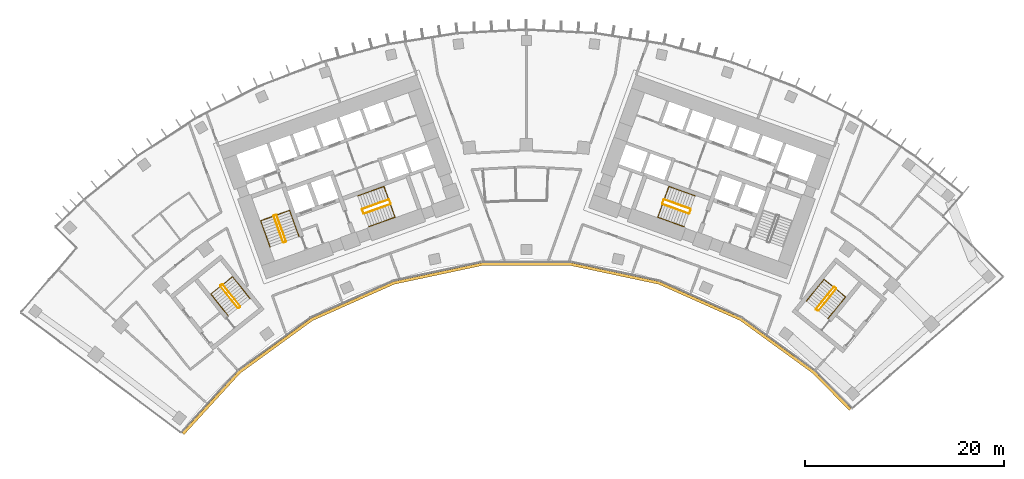
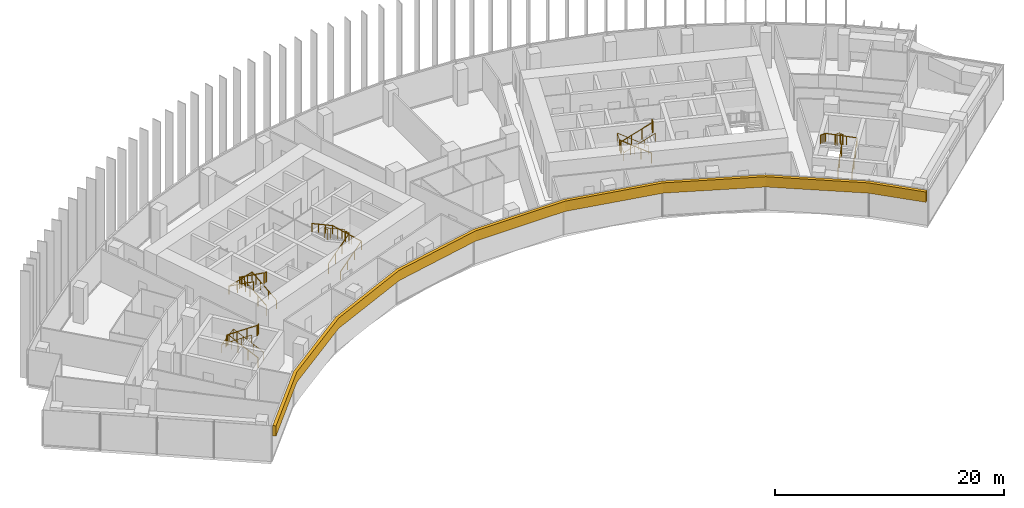
# One storey, part 22 of 23: 15 railings, 1 covering.
"""IFC4 building model written with IfcOpenShell, lengths in metres."""

from ifc_helpers import new_model, si_unit, direction, frame, origin, origin_2d, place, context, subcontext, project, spatial, polyline, circle, outline, extrude, material, layer, layer_set, type_object, element, save


model = new_model("IFC4")

# Units and contexts
model_context = context("Model", 3, precision=1e-05, world=origin(), true_north=direction((0.0, 1.0)))
body_context = subcontext(model_context, "Body", "Model", "MODEL_VIEW")
ifc_project = project(units=[si_unit("LENGTHUNIT", "METRE"), si_unit("AREAUNIT", "SQUARE_METRE"), si_unit("VOLUMEUNIT", "CUBIC_METRE"), si_unit("PLANEANGLEUNIT", "RADIAN"), si_unit("MASSUNIT", "GRAM", prefix="KILO")], contexts=[model_context])

# Site, building, storey
site_placement = place(None, origin())
site = spatial("IfcSite", under=ifc_project, at=site_placement, CompositionType="ELEMENT")
building_placement = place(site_placement, origin())
building = spatial("IfcBuilding", under=site, at=building_placement, Name="Stone Belt Terrace Tower", CompositionType="ELEMENT")
storey_placement = place(building_placement, frame((0.0, 0.0, 178.199951171875)))
storey = spatial("IfcBuildingStorey", under=building, at=storey_placement, Name="L43", CompositionType="ELEMENT", Elevation=178.199951171875)

# Railings
ifc_material_1 = material(Name="Structural steel C345", Category="steel")
railing_type_1 = type_object("IfcRailingType", Name="Stair guard 1100", PredefinedType="GUARDRAIL", material=ifc_material_1)
railing_1_placement = place(storey_placement, frame((-24.2119140625, 45.276123046875, 0.1728515625)))
element("IfcRailing", 1, at=railing_1_placement, inside=storey, type_object=railing_type_1, Name="L43 ST1A stair guard 1", PredefinedType="GUARDRAIL", context=body_context, shape_type="SweptSolid", body=[
    extrude(circle(Radius=0.02392578125, at=origin_2d()), frame((0.0, 0.0, 1.076171875), z_axis=(-0.288228637646, 0.800791768495, 0.525030280985), x_axis=(-0.940908529223, -0.338660803216, 0.0)), (0.0, 0.0, 1.0), 3.289794921875),
    extrude(circle(Radius=0.02392578125, at=origin_2d()), frame((-0.9482421875, 2.634521484375, 2.80322265625), z_axis=(-0.905209821074, 0.424964916, 0.0), x_axis=(-0.424964916, -0.905209821074, 0.0)), (0.0, 0.0, 1.0), 0.070556640625),
    extrude(circle(Radius=0.02392578125, at=origin_2d()), frame((-1.01220703125, 2.66455078125, 2.80322265625), z_axis=(-0.941105063269, -0.338114270461, 0.0), x_axis=(0.338114270461, -0.941105063269, 0.0)), (0.0, 0.0, 1.0), 0.199951171875),
    extrude(circle(Radius=0.02099609375, at=origin_2d()), origin(), (0.0, 0.0, 1.0), 1.052001953125),
    extrude(circle(Radius=0.02099609375, at=origin_2d()), frame((-0.316162109375, 0.878173828125, 0.57568359375)), (0.0, 0.0, 1.0), 1.052001953125),
    extrude(circle(Radius=0.02099609375, at=origin_2d()), frame((-0.632080078125, 1.75634765625, 1.151611328125)), (0.0, 0.0, 1.0), 1.052001953125),
    extrude(circle(Radius=0.02099609375, at=origin_2d()), frame((-0.9482421875, 2.634521484375, 1.727294921875)), (0.0, 0.0, 1.0), 1.052001953125),
    extrude(circle(Radius=0.02099609375, at=origin_2d()), frame((-1.01220703125, 2.66455078125, 1.727294921875)), (0.0, 0.0, 1.0), 1.052001953125),
    extrude(circle(Radius=0.02099609375, at=origin_2d()), frame((-1.200439453125, 2.596923828125, 1.727294921875)), (0.0, 0.0, 1.0), 1.052001953125),
])
railing_2_placement = place(storey_placement, frame((-25.4423828125, 47.80908203125, 2.07275390625)))
element("IfcRailing", 2, at=railing_2_placement, inside=storey, type_object=railing_type_1, Name="L43 ST1A stair guard 2", PredefinedType="GUARDRAIL", context=body_context, shape_type="SweptSolid", body=[
    extrude(circle(Radius=0.02392578125, at=origin_2d()), frame((0.0, 0.0, 1.076171875), z_axis=(0.288228637646, -0.800791768495, 0.525030280985), x_axis=(0.940908529223, 0.338660803216, 0.0)), (0.0, 0.0, 1.0), 3.289794921875),
    extrude(circle(Radius=0.02392578125, at=origin_2d()), frame((0.9482421875, -2.634521484375, 2.80322265625), z_axis=(0.903878284585, -0.427789722475, 0.0), x_axis=(0.427789722475, 0.903878284585, 0.0)), (0.0, 0.0, 1.0), 0.07080078125),
    extrude(circle(Radius=0.02392578125, at=origin_2d()), frame((1.01220703125, -2.664794921875, 2.80322265625), z_axis=(0.940575576748, 0.339584429008, 0.0), x_axis=(-0.339584429008, 0.940575576748, 0.0)), (0.0, 0.0, 1.0), 0.199951171875),
    extrude(circle(Radius=0.02099609375, at=origin_2d()), origin(), (0.0, 0.0, 1.0), 1.052001953125),
    extrude(circle(Radius=0.02099609375, at=origin_2d()), frame((0.316162109375, -0.878173828125, 0.57568359375)), (0.0, 0.0, 1.0), 1.052001953125),
    extrude(circle(Radius=0.02099609375, at=origin_2d()), frame((0.632080078125, -1.75634765625, 1.151611328125)), (0.0, 0.0, 1.0), 1.052001953125),
    extrude(circle(Radius=0.02099609375, at=origin_2d()), frame((0.9482421875, -2.634521484375, 1.727294921875)), (0.0, 0.0, 1.0), 1.052001953125),
    extrude(circle(Radius=0.02099609375, at=origin_2d()), frame((1.01220703125, -2.664794921875, 1.727294921875)), (0.0, 0.0, 1.0), 1.052001953125),
    extrude(circle(Radius=0.02099609375, at=origin_2d()), frame((1.2001953125, -2.596923828125, 1.727294921875)), (0.0, 0.0, 1.0), 1.052001953125),
])
railing_3_placement = place(storey_placement, frame((-16.33837890625, 48.056640625, 0.1728515625)))
element("IfcRailing", 3, at=railing_3_placement, inside=storey, type_object=railing_type_1, Name="L43 ST2A stair guard 1", PredefinedType="GUARDRAIL", context=body_context, shape_type="SweptSolid", body=[
    extrude(circle(Radius=0.02392578125, at=origin_2d()), frame((0.0, 0.0, 1.076171875), z_axis=(0.800808895155, 0.288160591223, 0.52504150989), x_axis=(-0.338583606334, 0.940936311087, 0.0)), (0.0, 0.0, 1.0), 3.289794921875),
    extrude(circle(Radius=0.02392578125, at=origin_2d()), frame((2.634521484375, 0.947998046875, 2.80322265625), z_axis=(0.427789722475, 0.903878284585, 0.0), x_axis=(-0.903878284585, 0.427789722475, 0.0)), (0.0, 0.0, 1.0), 0.07080078125),
    extrude(circle(Radius=0.02392578125, at=origin_2d()), frame((2.664794921875, 1.011962890625, 2.80322265625), z_axis=(-0.338654645739, 0.940910745459, 0.0), x_axis=(-0.940910745459, -0.338654645739, 0.0)), (0.0, 0.0, 1.0), 0.400146484375),
    extrude(circle(Radius=0.02099609375, at=origin_2d()), origin(), (0.0, 0.0, 1.0), 1.052001953125),
    extrude(circle(Radius=0.02099609375, at=origin_2d()), frame((0.878173828125, 0.31591796875, 0.57568359375)), (0.0, 0.0, 1.0), 1.052001953125),
    extrude(circle(Radius=0.02099609375, at=origin_2d()), frame((1.75634765625, 0.632080078125, 1.151611328125)), (0.0, 0.0, 1.0), 1.052001953125),
    extrude(circle(Radius=0.02099609375, at=origin_2d()), frame((2.634521484375, 0.947998046875, 1.727294921875)), (0.0, 0.0, 1.0), 1.052001953125),
    extrude(circle(Radius=0.02099609375, at=origin_2d()), frame((2.664794921875, 1.011962890625, 1.727294921875)), (0.0, 0.0, 1.0), 1.052001953125),
    extrude(circle(Radius=0.02099609375, at=origin_2d()), frame((2.529296875, 1.388427734375, 1.727294921875)), (0.0, 0.0, 1.0), 1.052001953125),
])
railing_4_placement = place(storey_placement, frame((-13.873046875, 49.47509765625, 2.07275390625)))
element("IfcRailing", 4, at=railing_4_placement, inside=storey, type_object=railing_type_1, Name="L43 ST2A stair guard 2", PredefinedType="GUARDRAIL", context=body_context, shape_type="SweptSolid", body=[
    extrude(circle(Radius=0.02392578125, at=origin_2d()), frame((0.0, 0.0, 1.076171875), z_axis=(-0.800808895155, -0.288160591223, 0.52504150989), x_axis=(0.338583606334, -0.940936311087, 0.0)), (0.0, 0.0, 1.0), 3.289794921875),
    extrude(circle(Radius=0.02392578125, at=origin_2d()), frame((-2.634521484375, -0.947998046875, 2.80322265625), z_axis=(-0.427789722475, -0.903878284585, 0.0), x_axis=(0.903878284585, -0.427789722475, 0.0)), (0.0, 0.0, 1.0), 0.07080078125),
    extrude(circle(Radius=0.02392578125, at=origin_2d()), frame((-2.664794921875, -1.011962890625, 2.80322265625), z_axis=(0.338654645739, -0.940910745459, 0.0), x_axis=(0.940910745459, 0.338654645739, 0.0)), (0.0, 0.0, 1.0), 0.400146484375),
    extrude(circle(Radius=0.02099609375, at=origin_2d()), origin(), (0.0, 0.0, 1.0), 1.052001953125),
    extrude(circle(Radius=0.02099609375, at=origin_2d()), frame((-0.878173828125, -0.31591796875, 0.57568359375)), (0.0, 0.0, 1.0), 1.052001953125),
    extrude(circle(Radius=0.02099609375, at=origin_2d()), frame((-1.75634765625, -0.632080078125, 1.151611328125)), (0.0, 0.0, 1.0), 1.052001953125),
    extrude(circle(Radius=0.02099609375, at=origin_2d()), frame((-2.634521484375, -0.947998046875, 1.727294921875)), (0.0, 0.0, 1.0), 1.052001953125),
    extrude(circle(Radius=0.02099609375, at=origin_2d()), frame((-2.664794921875, -1.011962890625, 1.727294921875)), (0.0, 0.0, 1.0), 1.052001953125),
    extrude(circle(Radius=0.02099609375, at=origin_2d()), frame((-2.529296875, -1.388427734375, 1.727294921875)), (0.0, 0.0, 1.0), 1.052001953125),
])
railing_5_placement = place(storey_placement, frame((16.507568359375, 48.527099609375, 0.1728515625)))
element("IfcRailing", 5, at=railing_5_placement, inside=storey, type_object=railing_type_1, Name="L43 ST2B stair guard 1", PredefinedType="GUARDRAIL", context=body_context, shape_type="SweptSolid", body=[
    extrude(circle(Radius=0.02392578125, at=origin_2d()), frame((0.0, 0.0, 1.076171875), z_axis=(-0.800808895155, 0.288160591223, 0.52504150989), x_axis=(-0.338583606334, -0.940936311087, 0.0)), (0.0, 0.0, 1.0), 3.289794921875),
    extrude(circle(Radius=0.02392578125, at=origin_2d()), frame((-2.634521484375, 0.947998046875, 2.80322265625), z_axis=(-0.905209821074, -0.424964916, 0.0), x_axis=(0.424964916, -0.905209821074, 0.0)), (0.0, 0.0, 1.0), 0.070556640625),
    extrude(circle(Radius=0.02392578125, at=origin_2d()), frame((-2.698486328125, 0.91796875, 2.80322265625), z_axis=(-0.338654645739, -0.940910745459, 0.0), x_axis=(0.940910745459, -0.338654645739, 0.0)), (0.0, 0.0, 1.0), 0.400146484375),
    extrude(circle(Radius=0.02099609375, at=origin_2d()), origin(), (0.0, 0.0, 1.0), 1.052001953125),
    extrude(circle(Radius=0.02099609375, at=origin_2d()), frame((-0.878173828125, 0.31591796875, 0.57568359375)), (0.0, 0.0, 1.0), 1.052001953125),
    extrude(circle(Radius=0.02099609375, at=origin_2d()), frame((-1.75634765625, 0.632080078125, 1.151611328125)), (0.0, 0.0, 1.0), 1.052001953125),
    extrude(circle(Radius=0.02099609375, at=origin_2d()), frame((-2.634521484375, 0.947998046875, 1.727294921875)), (0.0, 0.0, 1.0), 1.052001953125),
    extrude(circle(Radius=0.02099609375, at=origin_2d()), frame((-2.698486328125, 0.91796875, 1.727294921875)), (0.0, 0.0, 1.0), 1.052001953125),
    extrude(circle(Radius=0.02099609375, at=origin_2d()), frame((-2.833984375, 0.54150390625, 1.727294921875)), (0.0, 0.0, 1.0), 1.052001953125),
])
railing_6_placement = place(storey_placement, frame((13.703857421875, 49.004638671875, 2.07275390625)))
element("IfcRailing", 6, at=railing_6_placement, inside=storey, type_object=railing_type_1, Name="L43 ST2B stair guard 2", PredefinedType="GUARDRAIL", context=body_context, shape_type="SweptSolid", body=[
    extrude(circle(Radius=0.02392578125, at=origin_2d()), frame((0.0, 0.0, 1.076171875), z_axis=(0.800808895155, -0.288160591223, 0.52504150989), x_axis=(0.338583606334, 0.940936311087, 0.0)), (0.0, 0.0, 1.0), 3.289794921875),
    extrude(circle(Radius=0.02392578125, at=origin_2d()), frame((2.634521484375, -0.947998046875, 2.80322265625), z_axis=(0.905209821074, 0.424964916, 0.0), x_axis=(-0.424964916, 0.905209821074, 0.0)), (0.0, 0.0, 1.0), 0.070556640625),
    extrude(circle(Radius=0.02392578125, at=origin_2d()), frame((2.698486328125, -0.91796875, 2.80322265625), z_axis=(0.338654645739, 0.940910745459, 0.0), x_axis=(-0.940910745459, 0.338654645739, 0.0)), (0.0, 0.0, 1.0), 0.400146484375),
    extrude(circle(Radius=0.02099609375, at=origin_2d()), origin(), (0.0, 0.0, 1.0), 1.052001953125),
    extrude(circle(Radius=0.02099609375, at=origin_2d()), frame((0.878173828125, -0.31591796875, 0.57568359375)), (0.0, 0.0, 1.0), 1.052001953125),
    extrude(circle(Radius=0.02099609375, at=origin_2d()), frame((1.75634765625, -0.632080078125, 1.151611328125)), (0.0, 0.0, 1.0), 1.052001953125),
    extrude(circle(Radius=0.02099609375, at=origin_2d()), frame((2.634521484375, -0.947998046875, 1.727294921875)), (0.0, 0.0, 1.0), 1.052001953125),
    extrude(circle(Radius=0.02099609375, at=origin_2d()), frame((2.698486328125, -0.91796875, 1.727294921875)), (0.0, 0.0, 1.0), 1.052001953125),
    extrude(circle(Radius=0.02099609375, at=origin_2d()), frame((2.833984375, -0.54150390625, 1.727294921875)), (0.0, 0.0, 1.0), 1.052001953125),
])
railing_7_placement = place(storey_placement, frame((-28.814208984375, 38.734619140625, 0.1728515625)))
element("IfcRailing", 7, at=railing_7_placement, inside=storey, type_object=railing_type_1, Name="L43 ST3A stair guard 1", PredefinedType="GUARDRAIL", context=body_context, shape_type="SweptSolid", body=[
    extrude(circle(Radius=0.02392578125, at=origin_2d()), frame((0.0, 0.0, 1.076171875), z_axis=(-0.530306321799, 0.665665785969, 0.525037395288), x_axis=(-0.782143211408, -0.623098705543, 0.0)), (0.0, 0.0, 1.0), 3.289794921875),
    extrude(circle(Radius=0.02392578125, at=origin_2d()), frame((-1.74462890625, 2.18994140625, 2.80322265625), z_axis=(-0.993883734674, 0.110431526075, 0.0), x_axis=(-0.110431526075, -0.993883734674, 0.0)), (0.0, 0.0, 1.0), 0.07080078125),
    extrude(circle(Radius=0.02392578125, at=origin_2d()), frame((-1.81494140625, 2.19775390625, 2.80322265625), z_axis=(-0.782533463299, -0.622608527742, 0.0), x_axis=(0.622608527742, -0.782533463299, 0.0)), (0.0, 0.0, 1.0), 0.199951171875),
    extrude(circle(Radius=0.02099609375, at=origin_2d()), origin(), (0.0, 0.0, 1.0), 1.052001953125),
    extrude(circle(Radius=0.02099609375, at=origin_2d()), frame((-0.58154296875, 0.72998046875, 0.57568359375)), (0.0, 0.0, 1.0), 1.052001953125),
    extrude(circle(Radius=0.02099609375, at=origin_2d()), frame((-1.1630859375, 1.4599609375, 1.151611328125)), (0.0, 0.0, 1.0), 1.052001953125),
    extrude(circle(Radius=0.02099609375, at=origin_2d()), frame((-1.74462890625, 2.18994140625, 1.727294921875)), (0.0, 0.0, 1.0), 1.052001953125),
    extrude(circle(Radius=0.02099609375, at=origin_2d()), frame((-1.81494140625, 2.19775390625, 1.727294921875)), (0.0, 0.0, 1.0), 1.052001953125),
    extrude(circle(Radius=0.02099609375, at=origin_2d()), frame((-1.971435546875, 2.0732421875, 1.727294921875)), (0.0, 0.0, 1.0), 1.052001953125),
])
railing_8_placement = place(storey_placement, frame((-30.793701171875, 40.737548828125, 2.07275390625)))
element("IfcRailing", 8, at=railing_8_placement, inside=storey, type_object=railing_type_1, Name="L43 ST3A stair guard 2", PredefinedType="GUARDRAIL", context=body_context, shape_type="SweptSolid", body=[
    extrude(circle(Radius=0.02392578125, at=origin_2d()), frame((0.0, 0.0, 1.076171875), z_axis=(0.530359659125, -0.665639588968, 0.525016732659), x_axis=(0.782100716982, 0.62315204284, 0.0)), (0.0, 0.0, 1.0), 3.2900390625),
    extrude(circle(Radius=0.02392578125, at=origin_2d()), frame((1.744873046875, -2.18994140625, 2.80322265625), z_axis=(0.993499272973, -0.113838458361, 0.0), x_axis=(0.113838458361, 0.993499272973, 0.0)), (0.0, 0.0, 1.0), 0.07080078125),
    extrude(circle(Radius=0.02392578125, at=origin_2d()), frame((1.815185546875, -2.197998046875, 2.80322265625), z_axis=(0.781464082609, 0.623950228458, 0.0), x_axis=(-0.623950228458, 0.781464082609, 0.0)), (0.0, 0.0, 1.0), 0.199951171875),
    extrude(circle(Radius=0.02099609375, at=origin_2d()), origin(), (0.0, 0.0, 1.0), 1.052001953125),
    extrude(circle(Radius=0.02099609375, at=origin_2d()), frame((0.58154296875, -0.72998046875, 0.57568359375)), (0.0, 0.0, 1.0), 1.052001953125),
    extrude(circle(Radius=0.02099609375, at=origin_2d()), frame((1.163330078125, -1.4599609375, 1.151611328125)), (0.0, 0.0, 1.0), 1.052001953125),
    extrude(circle(Radius=0.02099609375, at=origin_2d()), frame((1.744873046875, -2.18994140625, 1.727294921875)), (0.0, 0.0, 1.0), 1.052001953125),
    extrude(circle(Radius=0.02099609375, at=origin_2d()), frame((1.815185546875, -2.197998046875, 1.727294921875)), (0.0, 0.0, 1.0), 1.052001953125),
    extrude(circle(Radius=0.02099609375, at=origin_2d()), frame((1.971435546875, -2.0732421875, 1.727294921875)), (0.0, 0.0, 1.0), 1.052001953125),
])
railing_9_placement = place(storey_placement, frame((29.39794921875, 38.281982421875, 0.1728515625)))
element("IfcRailing", 9, at=railing_9_placement, inside=storey, type_object=railing_type_1, Name="L43 ST3B stair guard 1", PredefinedType="GUARDRAIL", context=body_context, shape_type="SweptSolid", body=[
    extrude(circle(Radius=0.02392578125, at=origin_2d()), frame((0.0, 0.0, 1.076171875), z_axis=(0.536393061503, 0.660769759217, 0.525038864158), x_axis=(-0.776391310223, 0.630251166924, 0.0)), (0.0, 0.0, 1.0), 3.289794921875),
    extrude(circle(Radius=0.02392578125, at=origin_2d()), frame((1.7646484375, 2.173828125, 2.80322265625), z_axis=(-0.103251414163, 0.994655289773, 0.0), x_axis=(-0.994655289773, -0.103251414163, 0.0)), (0.0, 0.0, 1.0), 0.071044921875),
    extrude(circle(Radius=0.02392578125, at=origin_2d()), frame((1.75732421875, 2.244384765625, 2.80322265625), z_axis=(-0.776561986372, 0.630040856868, 0.0), x_axis=(-0.630040856868, -0.776561986372, 0.0)), (0.0, 0.0, 1.0), 0.199951171875),
    extrude(circle(Radius=0.02099609375, at=origin_2d()), origin(), (0.0, 0.0, 1.0), 1.052001953125),
    extrude(circle(Radius=0.02099609375, at=origin_2d()), frame((0.588134765625, 0.724609375, 0.57568359375)), (0.0, 0.0, 1.0), 1.052001953125),
    extrude(circle(Radius=0.02099609375, at=origin_2d()), frame((1.176513671875, 1.44921875, 1.151611328125)), (0.0, 0.0, 1.0), 1.052001953125),
    extrude(circle(Radius=0.02099609375, at=origin_2d()), frame((1.7646484375, 2.173828125, 1.727294921875)), (0.0, 0.0, 1.0), 1.052001953125),
    extrude(circle(Radius=0.02099609375, at=origin_2d()), frame((1.75732421875, 2.244384765625, 1.727294921875)), (0.0, 0.0, 1.0), 1.052001953125),
    extrude(circle(Radius=0.02099609375, at=origin_2d()), frame((1.60205078125, 2.370361328125, 1.727294921875)), (0.0, 0.0, 1.0), 1.052001953125),
])
railing_10_placement = place(storey_placement, frame((30.9296875, 40.64501953125, 2.07275390625)))
element("IfcRailing", 10, at=railing_10_placement, inside=storey, type_object=railing_type_1, Name="L43 ST3B stair guard 2", PredefinedType="GUARDRAIL", context=body_context, shape_type="SweptSolid", body=[
    extrude(circle(Radius=0.02392578125, at=origin_2d()), frame((0.0, 0.0, 1.076171875), z_axis=(-0.536366759382, -0.660811565066, 0.525013118792), x_axis=(0.776425942316, -0.630208502084, 0.0)), (0.0, 0.0, 1.0), 3.2900390625),
    extrude(circle(Radius=0.02392578125, at=origin_2d()), frame((-1.7646484375, -2.174072265625, 2.80322265625), z_axis=(0.103606084259, -0.994618408891, 0.0), x_axis=(0.994618408891, 0.103606084259, 0.0)), (0.0, 0.0, 1.0), 0.07080078125),
    extrude(circle(Radius=0.02392578125, at=origin_2d()), frame((-1.75732421875, -2.244384765625, 2.80322265625), z_axis=(0.776561986372, -0.630040856868, 0.0), x_axis=(0.630040856868, 0.776561986372, 0.0)), (0.0, 0.0, 1.0), 0.199951171875),
    extrude(circle(Radius=0.02099609375, at=origin_2d()), origin(), (0.0, 0.0, 1.0), 1.052001953125),
    extrude(circle(Radius=0.02099609375, at=origin_2d()), frame((-0.588134765625, -0.724609375, 0.57568359375)), (0.0, 0.0, 1.0), 1.052001953125),
    extrude(circle(Radius=0.02099609375, at=origin_2d()), frame((-1.176513671875, -1.449462890625, 1.151611328125)), (0.0, 0.0, 1.0), 1.052001953125),
    extrude(circle(Radius=0.02099609375, at=origin_2d()), frame((-1.7646484375, -2.174072265625, 1.727294921875)), (0.0, 0.0, 1.0), 1.052001953125),
    extrude(circle(Radius=0.02099609375, at=origin_2d()), frame((-1.75732421875, -2.244384765625, 1.727294921875)), (0.0, 0.0, 1.0), 1.052001953125),
    extrude(circle(Radius=0.02099609375, at=origin_2d()), frame((-1.60205078125, -2.370361328125, 1.727294921875)), (0.0, 0.0, 1.0), 1.052001953125),
])
railing_type_2 = type_object("IfcRailingType", Name="Stair handrail 900", PredefinedType="HANDRAIL", material=ifc_material_1)
railing_11_placement = place(storey_placement, frame((-22.894775390625, 45.750244140625, 0.1728515625)))
element("IfcRailing", 11, at=railing_11_placement, inside=storey, type_object=railing_type_2, Name="L43 ST1A stair handrail 1", PredefinedType="HANDRAIL", context=body_context, shape_type="SweptSolid", body=[
    extrude(circle(Radius=0.02392578125, at=origin_2d()), frame((0.0, 0.0, 0.8759765625), z_axis=(-0.288160591223, 0.800808895155, 0.52504150989), x_axis=(-0.940936311087, -0.338583606334, 0.0)), (0.0, 0.0, 1.0), 3.289794921875),
    extrude(circle(Radius=0.02392578125, at=origin_2d()), frame((-0.947998046875, 2.634521484375, 2.60302734375), z_axis=(-0.939464517435, -0.338106580597, 0.055591012205), x_axis=(0.338630230244, -0.940919532779, 0.0)), (0.0, 0.0, 1.0), 3.10498046875),
    extrude(circle(Radius=0.02392578125, at=origin_2d()), frame((-3.864990234375, 1.584716796875, 2.77587890625), z_axis=(0.288228637646, -0.800791768495, 0.525030280985), x_axis=(0.940908529223, 0.338660803216, 0.0)), (0.0, 0.0, 1.0), 3.289794921875),
    extrude(circle(Radius=0.02099609375, at=origin_2d()), origin(), (0.0, 0.0, 1.0), 0.851806640625),
    extrude(circle(Radius=0.02099609375, at=origin_2d()), frame((-0.31591796875, 0.878173828125, 0.57568359375)), (0.0, 0.0, 1.0), 0.851806640625),
    extrude(circle(Radius=0.02099609375, at=origin_2d()), frame((-0.632080078125, 1.75634765625, 1.151611328125)), (0.0, 0.0, 1.0), 0.851806640625),
    extrude(circle(Radius=0.02099609375, at=origin_2d()), frame((-0.947998046875, 2.634521484375, 1.727294921875)), (0.0, 0.0, 1.0), 0.851806640625),
    extrude(circle(Radius=0.02099609375, at=origin_2d()), frame((-1.92041015625, 2.28466796875, 1.784912109375)), (0.0, 0.0, 1.0), 0.851806640625),
    extrude(circle(Radius=0.02099609375, at=origin_2d()), frame((-2.892578125, 1.9345703125, 1.84228515625)), (0.0, 0.0, 1.0), 0.851806640625),
    extrude(circle(Radius=0.02099609375, at=origin_2d()), frame((-3.864990234375, 1.584716796875, 1.89990234375)), (0.0, 0.0, 1.0), 0.851806640625),
    extrude(circle(Radius=0.02099609375, at=origin_2d()), frame((-3.548828125, 0.70654296875, 2.4755859375)), (0.0, 0.0, 1.0), 0.851806640625),
    extrude(circle(Radius=0.02099609375, at=origin_2d()), frame((-3.23291015625, -0.171630859375, 3.051513671875)), (0.0, 0.0, 1.0), 0.851806640625),
    extrude(circle(Radius=0.02099609375, at=origin_2d()), frame((-2.916748046875, -1.0498046875, 3.627197265625)), (0.0, 0.0, 1.0), 0.851806640625),
])
railing_12_placement = place(storey_placement, frame((-15.8642578125, 46.7392578125, 0.1728515625)))
element("IfcRailing", 12, at=railing_12_placement, inside=storey, type_object=railing_type_2, Name="L43 ST2A stair handrail 1", PredefinedType="HANDRAIL", context=body_context, shape_type="SweptSolid", body=[
    extrude(circle(Radius=0.02392578125, at=origin_2d()), frame((0.0, 0.0, 0.8759765625), z_axis=(0.800791768495, 0.288228637646, 0.525030280985), x_axis=(-0.338660803216, 0.940908529223, 0.0)), (0.0, 0.0, 1.0), 3.289794921875),
    extrude(circle(Radius=0.02392578125, at=origin_2d()), frame((2.634521484375, 0.9482421875, 2.60302734375), z_axis=(-0.338160254016, 0.939637778147, 0.052234935458), x_axis=(-0.940922302781, -0.338622533404, 0.0)), (0.0, 0.0, 1.0), 3.304443359375),
    extrude(circle(Radius=0.02392578125, at=origin_2d()), frame((1.51708984375, 4.05322265625, 2.77587890625), z_axis=(-0.800791768495, -0.288228637646, 0.525030280985), x_axis=(0.338660803216, -0.940908529223, 0.0)), (0.0, 0.0, 1.0), 3.289794921875),
    extrude(circle(Radius=0.02099609375, at=origin_2d()), origin(), (0.0, 0.0, 1.0), 0.851806640625),
    extrude(circle(Radius=0.02099609375, at=origin_2d()), frame((0.878173828125, 0.316162109375, 0.57568359375)), (0.0, 0.0, 1.0), 0.851806640625),
    extrude(circle(Radius=0.02099609375, at=origin_2d()), frame((1.75634765625, 0.632080078125, 1.151611328125)), (0.0, 0.0, 1.0), 0.851806640625),
    extrude(circle(Radius=0.02099609375, at=origin_2d()), frame((2.634521484375, 0.9482421875, 1.727294921875)), (0.0, 0.0, 1.0), 0.851806640625),
    extrude(circle(Radius=0.02099609375, at=origin_2d()), frame((2.261962890625, 1.983154296875, 1.784912109375)), (0.0, 0.0, 1.0), 0.851806640625),
    extrude(circle(Radius=0.02099609375, at=origin_2d()), frame((1.8896484375, 3.018310546875, 1.84228515625)), (0.0, 0.0, 1.0), 0.851806640625),
    extrude(circle(Radius=0.02099609375, at=origin_2d()), frame((1.51708984375, 4.05322265625, 1.89990234375)), (0.0, 0.0, 1.0), 0.851806640625),
    extrude(circle(Radius=0.02099609375, at=origin_2d()), frame((0.638916015625, 3.737060546875, 2.4755859375)), (0.0, 0.0, 1.0), 0.851806640625),
    extrude(circle(Radius=0.02099609375, at=origin_2d()), frame((-0.2392578125, 3.421142578125, 3.051513671875)), (0.0, 0.0, 1.0), 0.851806640625),
    extrude(circle(Radius=0.02099609375, at=origin_2d()), frame((-1.117431640625, 3.10498046875, 3.627197265625)), (0.0, 0.0, 1.0), 0.851806640625),
])
railing_13_placement = place(storey_placement, frame((16.981689453125, 49.84423828125, 0.1728515625)))
element("IfcRailing", 13, at=railing_13_placement, inside=storey, type_object=railing_type_2, Name="L43 ST2B stair handrail 1", PredefinedType="HANDRAIL", context=body_context, shape_type="SweptSolid", body=[
    extrude(circle(Radius=0.02392578125, at=origin_2d()), frame((0.0, 0.0, 0.8759765625), z_axis=(-0.800791768495, 0.288228637646, 0.525030280985), x_axis=(-0.338660803216, -0.940908529223, 0.0)), (0.0, 0.0, 1.0), 3.289794921875),
    extrude(circle(Radius=0.02392578125, at=origin_2d()), frame((-2.634521484375, 0.9482421875, 2.60302734375), z_axis=(-0.338160254016, -0.939637778147, 0.052234935458), x_axis=(0.940922302781, -0.338622533404, 0.0)), (0.0, 0.0, 1.0), 3.304443359375),
    extrude(circle(Radius=0.02392578125, at=origin_2d()), frame((-3.751953125, -2.15673828125, 2.77587890625), z_axis=(0.800791768495, -0.288228637646, 0.525030280985), x_axis=(0.338660803216, 0.940908529223, 0.0)), (0.0, 0.0, 1.0), 3.289794921875),
    extrude(circle(Radius=0.02099609375, at=origin_2d()), origin(), (0.0, 0.0, 1.0), 0.851806640625),
    extrude(circle(Radius=0.02099609375, at=origin_2d()), frame((-0.878173828125, 0.316162109375, 0.57568359375)), (0.0, 0.0, 1.0), 0.851806640625),
    extrude(circle(Radius=0.02099609375, at=origin_2d()), frame((-1.75634765625, 0.632080078125, 1.151611328125)), (0.0, 0.0, 1.0), 0.851806640625),
    extrude(circle(Radius=0.02099609375, at=origin_2d()), frame((-2.634521484375, 0.9482421875, 1.727294921875)), (0.0, 0.0, 1.0), 0.851806640625),
    extrude(circle(Radius=0.02099609375, at=origin_2d()), frame((-3.007080078125, -0.086669921875, 1.784912109375)), (0.0, 0.0, 1.0), 0.851806640625),
    extrude(circle(Radius=0.02099609375, at=origin_2d()), frame((-3.37939453125, -1.121826171875, 1.84228515625)), (0.0, 0.0, 1.0), 0.851806640625),
    extrude(circle(Radius=0.02099609375, at=origin_2d()), frame((-3.751953125, -2.15673828125, 1.89990234375)), (0.0, 0.0, 1.0), 0.851806640625),
    extrude(circle(Radius=0.02099609375, at=origin_2d()), frame((-2.873779296875, -2.472900390625, 2.4755859375)), (0.0, 0.0, 1.0), 0.851806640625),
    extrude(circle(Radius=0.02099609375, at=origin_2d()), frame((-1.99560546875, -2.788818359375, 3.051513671875)), (0.0, 0.0, 1.0), 0.851806640625),
    extrude(circle(Radius=0.02099609375, at=origin_2d()), frame((-1.117431640625, -3.10498046875, 3.627197265625)), (0.0, 0.0, 1.0), 0.851806640625),
])
railing_14_placement = place(storey_placement, frame((-27.836669921875, 39.513427734375, 0.1728515625)))
element("IfcRailing", 14, at=railing_14_placement, inside=storey, type_object=railing_type_2, Name="L43 ST3A stair handrail 1", PredefinedType="HANDRAIL", context=body_context, shape_type="SweptSolid", body=[
    extrude(circle(Radius=0.02392578125, at=origin_2d()), frame((0.0, 0.0, 0.8759765625), z_axis=(-0.530306321799, 0.665665785969, 0.525037395288), x_axis=(-0.782143211408, -0.623098705543, 0.0)), (0.0, 0.0, 1.0), 3.289794921875),
    extrude(circle(Radius=0.02392578125, at=origin_2d()), frame((-1.74462890625, 2.18994140625, 2.60302734375), z_axis=(-0.780661215256, -0.62191806513, 0.061530376721), x_axis=(0.623098705543, -0.782143211408, 0.0)), (0.0, 0.0, 1.0), 2.80517578125),
    extrude(circle(Radius=0.02392578125, at=origin_2d()), frame((-3.9345703125, 0.4453125, 2.77587890625), z_axis=(0.530306321799, -0.665665785969, 0.525037395288), x_axis=(0.782143211408, 0.623098705543, 0.0)), (0.0, 0.0, 1.0), 3.289794921875),
    extrude(circle(Radius=0.02099609375, at=origin_2d()), origin(), (0.0, 0.0, 1.0), 0.851806640625),
    extrude(circle(Radius=0.02099609375, at=origin_2d()), frame((-0.58154296875, 0.72998046875, 0.57568359375)), (0.0, 0.0, 1.0), 0.851806640625),
    extrude(circle(Radius=0.02099609375, at=origin_2d()), frame((-1.1630859375, 1.4599609375, 1.151611328125)), (0.0, 0.0, 1.0), 0.851806640625),
    extrude(circle(Radius=0.02099609375, at=origin_2d()), frame((-1.74462890625, 2.18994140625, 1.727294921875)), (0.0, 0.0, 1.0), 0.851806640625),
    extrude(circle(Radius=0.02099609375, at=origin_2d()), frame((-2.474609375, 1.6083984375, 1.784912109375)), (0.0, 0.0, 1.0), 0.851806640625),
    extrude(circle(Radius=0.02099609375, at=origin_2d()), frame((-3.20458984375, 1.02685546875, 1.84228515625)), (0.0, 0.0, 1.0), 0.851806640625),
    extrude(circle(Radius=0.02099609375, at=origin_2d()), frame((-3.9345703125, 0.4453125, 1.89990234375)), (0.0, 0.0, 1.0), 0.851806640625),
    extrude(circle(Radius=0.02099609375, at=origin_2d()), frame((-3.35302734375, -0.28466796875, 2.4755859375)), (0.0, 0.0, 1.0), 0.851806640625),
    extrude(circle(Radius=0.02099609375, at=origin_2d()), frame((-2.771484375, -1.0146484375, 3.051513671875)), (0.0, 0.0, 1.0), 0.851806640625),
    extrude(circle(Radius=0.02099609375, at=origin_2d()), frame((-2.18994140625, -1.74462890625, 3.627197265625)), (0.0, 0.0, 1.0), 0.851806640625),
])
railing_15_placement = place(storey_placement, frame((30.36865234375, 37.494140625, 0.1728515625)))
element("IfcRailing", 15, at=railing_15_placement, inside=storey, type_object=railing_type_2, Name="L43 ST3B stair handrail 1", PredefinedType="HANDRAIL", context=body_context, shape_type="SweptSolid", body=[
    extrude(circle(Radius=0.02392578125, at=origin_2d()), frame((0.0, 0.0, 0.8759765625), z_axis=(0.536366759382, 0.660811565066, 0.525013118792), x_axis=(-0.776425942316, 0.630208502084, 0.0)), (0.0, 0.0, 1.0), 3.2900390625),
    extrude(circle(Radius=0.02392578125, at=origin_2d()), frame((1.7646484375, 2.174072265625, 2.60302734375), z_axis=(-0.774954966459, 0.629014542119, 0.061526463929), x_axis=(-0.630208502084, -0.776425942316, 0.0)), (0.0, 0.0, 1.0), 2.805419921875),
    extrude(circle(Radius=0.02392578125, at=origin_2d()), frame((-0.409423828125, 3.938720703125, 2.77587890625), z_axis=(-0.536366759382, -0.660811565066, 0.525013118792), x_axis=(0.776425942316, -0.630208502084, 0.0)), (0.0, 0.0, 1.0), 3.2900390625),
    extrude(circle(Radius=0.02099609375, at=origin_2d()), origin(), (0.0, 0.0, 1.0), 0.851806640625),
    extrude(circle(Radius=0.02099609375, at=origin_2d()), frame((0.588134765625, 0.724609375, 0.57568359375)), (0.0, 0.0, 1.0), 0.851806640625),
    extrude(circle(Radius=0.02099609375, at=origin_2d()), frame((1.176513671875, 1.449462890625, 1.151611328125)), (0.0, 0.0, 1.0), 0.851806640625),
    extrude(circle(Radius=0.02099609375, at=origin_2d()), frame((1.7646484375, 2.174072265625, 1.727294921875)), (0.0, 0.0, 1.0), 0.851806640625),
    extrude(circle(Radius=0.02099609375, at=origin_2d()), frame((1.0400390625, 2.76220703125, 1.784912109375)), (0.0, 0.0, 1.0), 0.851806640625),
    extrude(circle(Radius=0.02099609375, at=origin_2d()), frame((0.315185546875, 3.3505859375, 1.84228515625)), (0.0, 0.0, 1.0), 0.851806640625),
    extrude(circle(Radius=0.02099609375, at=origin_2d()), frame((-0.409423828125, 3.938720703125, 1.89990234375)), (0.0, 0.0, 1.0), 0.851806640625),
    extrude(circle(Radius=0.02099609375, at=origin_2d()), frame((-0.99755859375, 3.214111328125, 2.4755859375)), (0.0, 0.0, 1.0), 0.851806640625),
    extrude(circle(Radius=0.02099609375, at=origin_2d()), frame((-1.5859375, 2.4892578125, 3.051513671875)), (0.0, 0.0, 1.0), 0.851806640625),
    extrude(circle(Radius=0.02099609375, at=origin_2d()), frame((-2.174072265625, 1.7646484375, 3.627197265625)), (0.0, 0.0, 1.0), 0.851806640625),
])

# Covering
ifc_material_2 = material(Name="Terracotta coloured glazed ceramic", Category="masonry")
ifc_layer = layer(ifc_material_2, 0.300048828125)
ifc_layer_set = layer_set([ifc_layer], Name="Terracotta spandrel band 300 x 1100")
covering_type = type_object("IfcCoveringType", Name="Terracotta spandrel band 300 x 1100", PredefinedType="CLADDING", material=ifc_layer_set)
covering_placement = place(storey_placement, frame((0.0, 0.0, 2.699951171875)))
element("IfcCovering", 16, at=covering_placement, inside=storey, type_object=covering_type, Name="BAND L43", PredefinedType="CLADDING", context=body_context, shape_type="SweptSolid", body=[
    extrude(outline(polyline([(-34.688720703125, 25.99951171875), (-29.0068359375, 32.21435546875), (-21.674560546875, 37.54150390625), (-13.395751953125, 41.2275390625), (-4.53125, 43.11181640625), (4.53125, 43.11181640625), (13.395751953125, 41.2275390625), (21.674560546875, 37.54150390625), (29.009033203125, 32.212646484375), (32.703857421875, 28.455322265625), (32.489990234375, 28.244873046875), (28.8125, 31.984619140625), (21.523681640625, 37.2802734375), (13.302490234375, 40.940673828125), (4.499755859375, 42.811767578125), (-4.499755859375, 42.811767578125), (-13.302490234375, 40.940673828125), (-21.523681640625, 37.2802734375), (-28.805908203125, 31.989501953125), (-34.46728515625, 25.797119140625), (-34.688720703125, 25.99951171875)])), origin(), (0.0, 0.0, 1.0), 1.10009765625),
])

save(model, "model.ifc")
